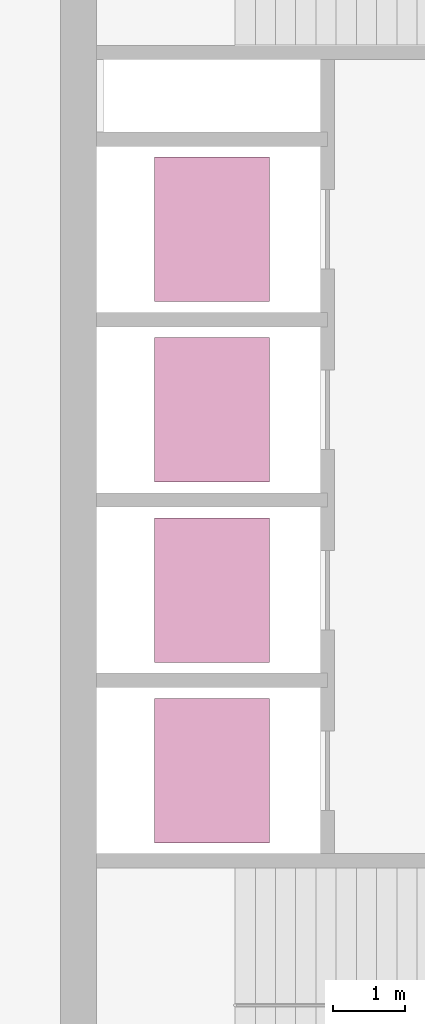
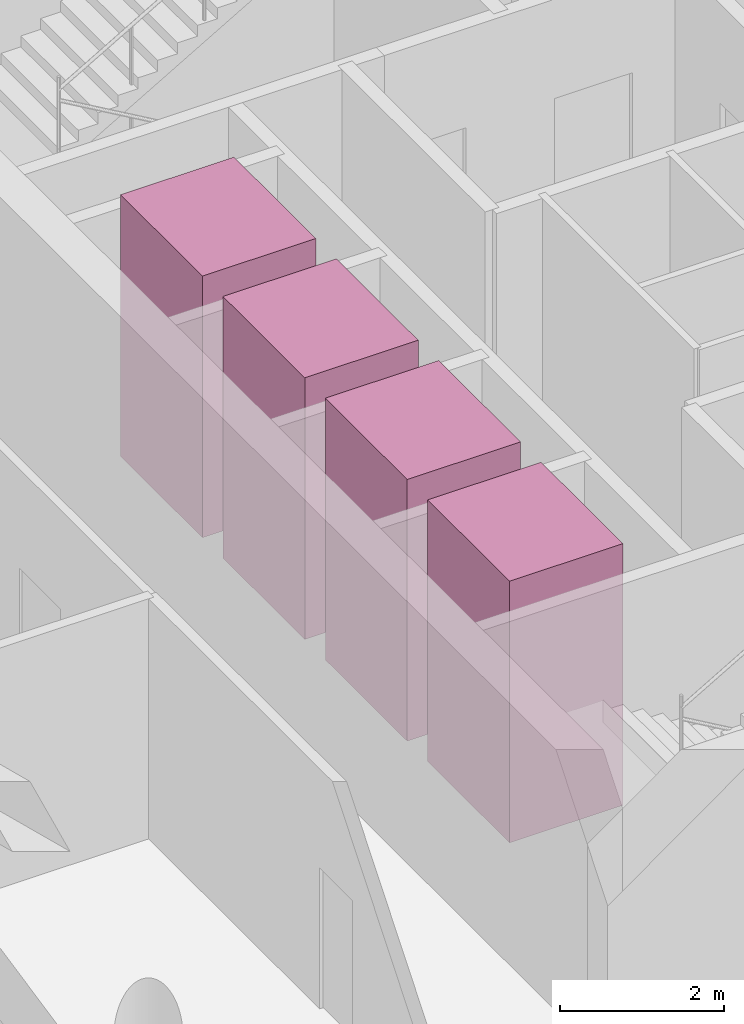
# One storey, part 8 of 8: 4 transport elements.
"""IFC4 building model written with IfcOpenShell, lengths in metres."""

from ifc_helpers import new_model, si_unit, direction, frame, origin, origin_2d, place, context, subcontext, project, spatial, rectangle, extrude, material, type_object, element, save


model = new_model("IFC4")

# Units and contexts
model_context = context("Model", 3, precision=1e-05, world=origin(), true_north=direction((0.0, 1.0)))
body_context = subcontext(model_context, "Body", "Model", "MODEL_VIEW")
ifc_project = project(units=[si_unit("LENGTHUNIT", "METRE"), si_unit("AREAUNIT", "SQUARE_METRE"), si_unit("VOLUMEUNIT", "CUBIC_METRE"), si_unit("PLANEANGLEUNIT", "RADIAN"), si_unit("MASSUNIT", "GRAM", prefix="KILO")], contexts=[model_context])

# Site, building, storey
site_placement = place(None, origin())
site = spatial("IfcSite", under=ifc_project, at=site_placement, CompositionType="ELEMENT")
building_placement = place(site_placement, origin())
building = spatial("IfcBuilding", under=site, at=building_placement, Name="Qaws Garden Tower", CompositionType="ELEMENT")
storey_placement = place(building_placement, frame((0.0, 0.0, 313.800048828125)))
storey = spatial("IfcBuildingStorey", under=building, at=storey_placement, Name="L76", CompositionType="ELEMENT", Elevation=313.800048828125)

# Transport elements
ifc_material = material(Name="Stainless steel 316", Category="steel")
transport_element_type = type_object("IfcTransportElementType", Name="Passenger lift car 2000x1600 1800 kg", PredefinedType="ELEVATOR", material=ifc_material)
for number, where, z_axis, x_axis, name in (
    (1, (10.10009765625, 13.64990234375, 0.0), (0.0, 0.0, 1.0), (1.0, 0.0, 0.0), "HR1"),
    (2, (10.10009765625, 16.14990234375, 0.0), (0.0, 0.0, 1.0), (1.0, 0.0, 0.0), "HR2"),
    (3, (10.10009765625, 18.64990234375, 0.0), (0.0, 0.0, 1.0), (1.0, 0.0, 0.0), "HR3"),
    (4, (10.10009765625, 21.14990234375, 0.0), (0.0, 0.0, 1.0), (1.0, 0.0, 0.0), "HR4"),
):
    element("IfcTransportElement", number, at=place(storey_placement, frame(where, z_axis=z_axis, x_axis=x_axis)), inside=storey, type_object=transport_element_type, Name=name, PredefinedType="ELEVATOR", context=body_context, shape_type="SweptSolid", body=[
        extrude(rectangle(XDim=1.60009765625, YDim=2.0, at=origin_2d()), origin(), (0.0, 0.0, 1.0), 3.89990234375),
    ])

save(model, "model.ifc")
